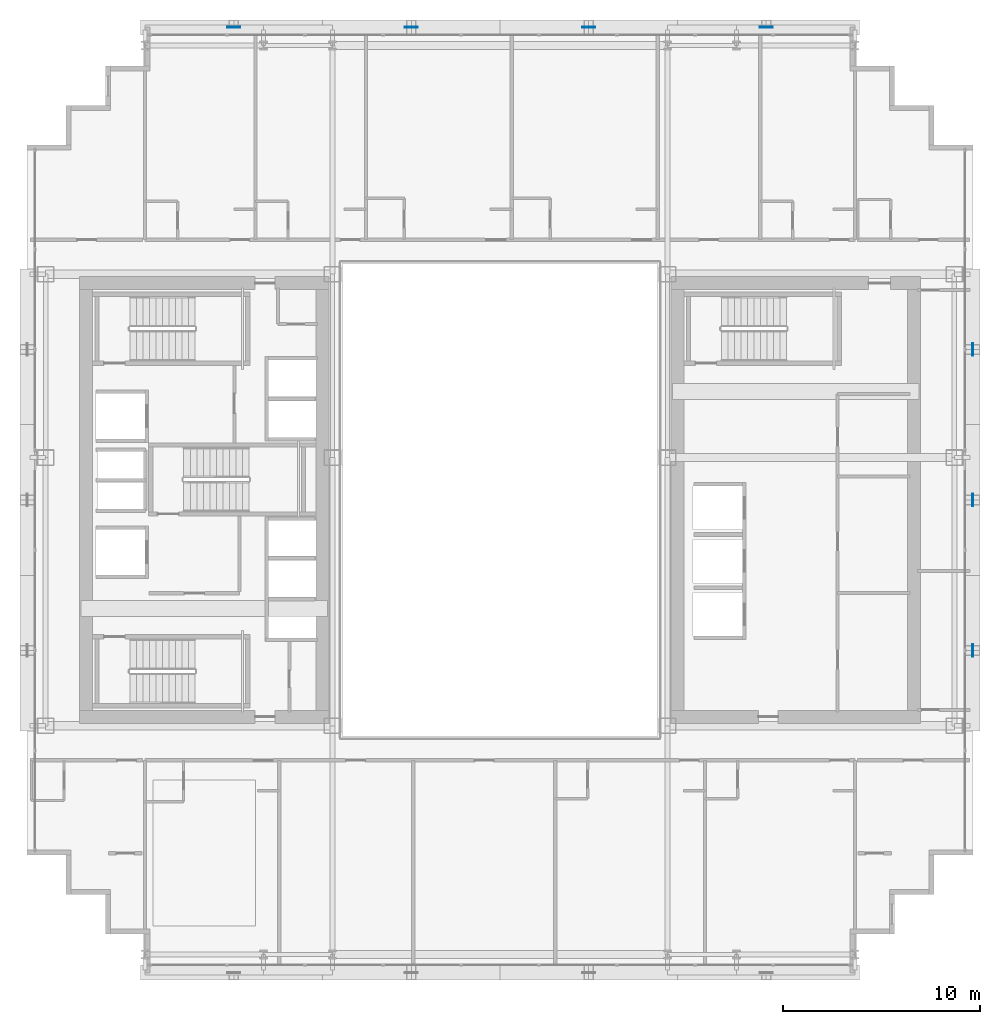
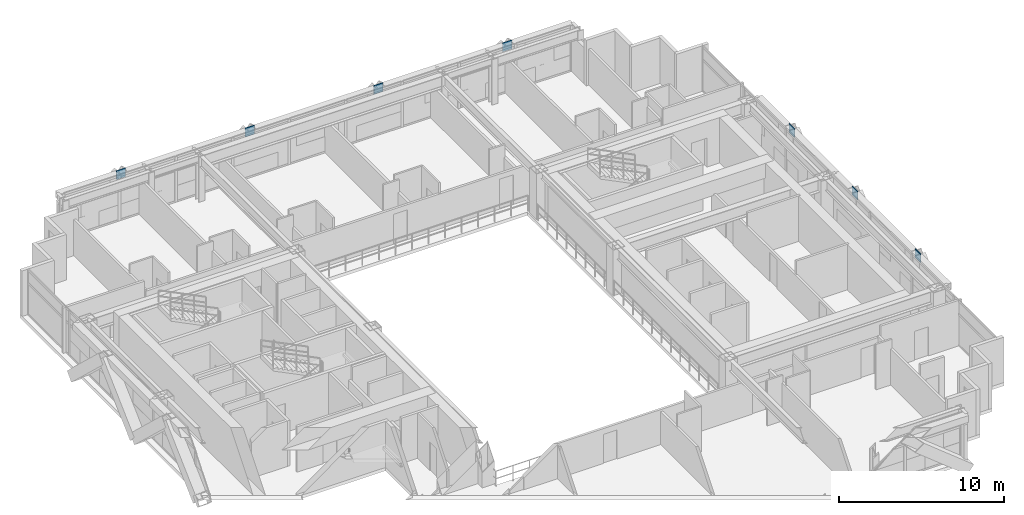
# One storey, part 26 of 35: 7 plates.
"""IFC4 building model written with IfcOpenShell, lengths in metres."""

from ifc_helpers import new_model, si_unit, direction, frame, origin, origin_2d, place, context, subcontext, project, spatial, rectangle, extrude, source, transform, mapped, material, layer, layer_set, type_object, element, save


model = new_model("IFC4")

# Units and contexts
model_context = context("Model", 3, precision=1e-05, world=origin(), true_north=direction((0.0, 1.0)))
body_context = subcontext(model_context, "Body", "Model", "MODEL_VIEW")
ifc_project = project(units=[si_unit("LENGTHUNIT", "METRE"), si_unit("AREAUNIT", "SQUARE_METRE"), si_unit("VOLUMEUNIT", "CUBIC_METRE"), si_unit("PLANEANGLEUNIT", "RADIAN"), si_unit("MASSUNIT", "GRAM", prefix="KILO")], contexts=[model_context])

# Site, building, storey
site_placement = place(None, origin())
site = spatial("IfcSite", under=ifc_project, at=site_placement, CompositionType="ELEMENT")
building_placement = place(site_placement, origin())
building = spatial("IfcBuilding", under=site, at=building_placement, Name="Ocotamira Hotel", CompositionType="ELEMENT")
storey_placement = place(building_placement, frame((0.0, 0.0, 140.39990234375)))
storey = spatial("IfcBuildingStorey", under=building, at=storey_placement, Name="L35", CompositionType="ELEMENT", Elevation=140.39990234375)

# Plates
ifc_material = material(Name="Pale-metal coated steel ASTM A572 Grade 50", Category="steel")
ifc_layer = layer(ifc_material, 0.0400390625)
ifc_layer_set = layer_set([ifc_layer], Name="Pale-metal coated steel ASTM A572 Grade 50")
plate_type = type_object("IfcPlateType", Name="PLT-GUSSET-40", PredefinedType="SHEET", material=ifc_layer_set)
shared_shape_1 = source(origin(), body_context, "Body", "SweptSolid", [
    extrude(rectangle(XDim=0.64990234375, YDim=0.0400390625, at=origin_2d()), origin(), (0.0, 0.0, 1.0), 0.64990234375),
])
for number, where, z_axis, x_axis, name in (
    (1, (18.5, 49.969970703125, 2.78515625), (0.0, 0.0, 1.0), (1.0, 0.0, 0.0), "L35 Exoskeleton Diagrid N0.1 End Gusset B"),
    (2, (27.5, 49.969970703125, 2.78515625), (0.0, 0.0, 1.0), (1.0, 0.0, 0.0), "L35 Exoskeleton Diagrid N1.1 End Gusset B"),
    (3, (36.5, 49.969970703125, 2.78515625), (0.0, 0.0, 1.0), (1.0, 0.0, 0.0), "L35 Exoskeleton Diagrid N2.1 End Gusset B"),
    (4, (45.5, 49.969970703125, 2.78515625), (0.0, 0.0, 1.0), (1.0, 0.0, 0.0), "L35 Exoskeleton Diagrid N3.1 End Gusset B"),
):
    element("IfcPlate", number, at=place(storey_placement, frame(where, z_axis=z_axis, x_axis=x_axis)), inside=storey, type_object=plate_type, Name=name, PredefinedType="SHEET", context=body_context, shape_type="MappedRepresentation", body=[
        mapped(shared_shape_1, transform((0.0, 0.0, 0.0), scale=1.0)),
    ])
shared_shape_2 = source(origin(), body_context, "Body", "SweptSolid", [
    extrude(rectangle(XDim=0.0400390625, YDim=0.64990234375, at=origin_2d()), origin(), (0.0, 0.0, 1.0), 0.64990234375),
])
for number, where, z_axis, x_axis, name in (
    (5, (55.969970703125, 18.36669921875, 2.78515625), (0.0, 0.0, 1.0), (1.0, 0.0, 0.0), "L35 Exoskeleton Diagrid E0.1 End Gusset B"),
    (6, (55.969970703125, 26.0, 2.78515625), (0.0, 0.0, 1.0), (1.0, 0.0, 0.0), "L35 Exoskeleton Diagrid E1.1 End Gusset B"),
    (7, (55.969970703125, 33.63330078125, 2.78515625), (0.0, 0.0, 1.0), (1.0, 0.0, 0.0), "L35 Exoskeleton Diagrid E2.1 End Gusset B"),
):
    element("IfcPlate", number, at=place(storey_placement, frame(where, z_axis=z_axis, x_axis=x_axis)), inside=storey, type_object=plate_type, Name=name, PredefinedType="SHEET", context=body_context, shape_type="MappedRepresentation", body=[
        mapped(shared_shape_2, transform((0.0, 0.0, 0.0), scale=1.0)),
    ])

save(model, "model.ifc")
